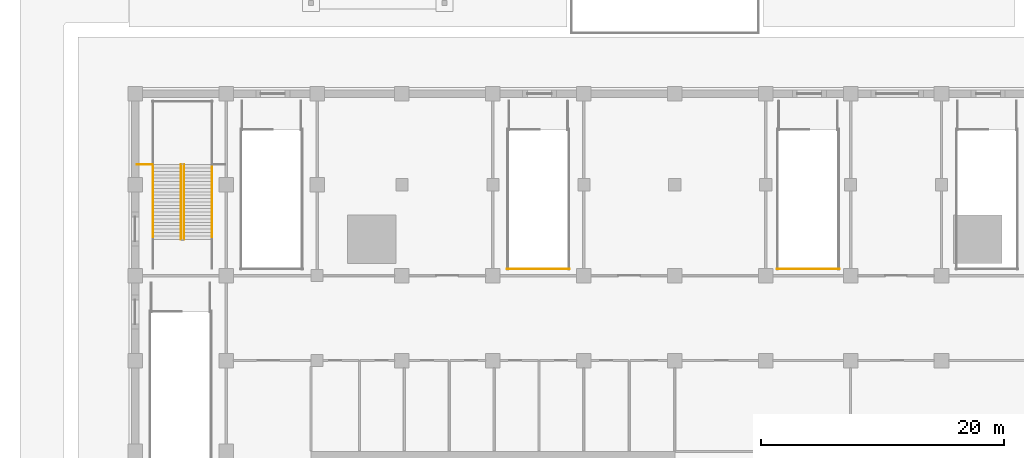
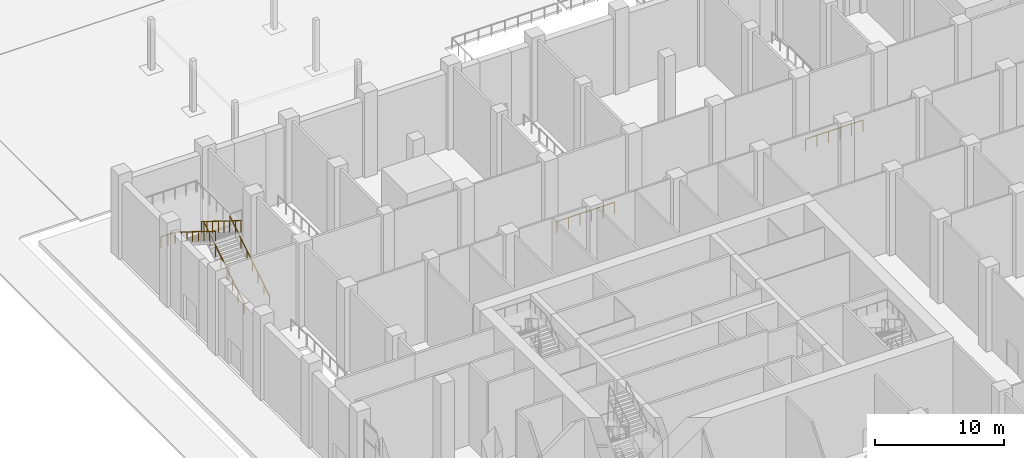
# One storey, part 46 of 57: 7 railings.
"""IFC4 building model written with IfcOpenShell, lengths in metres."""

from ifc_helpers import new_model, si_unit, direction, frame, origin, origin_2d, place, context, subcontext, project, spatial, circle, extrude, material, type_object, element, save


model = new_model("IFC4")

# Units and contexts
model_context = context("Model", 3, precision=1e-05, world=origin(), true_north=direction((0.0, 1.0)))
body_context = subcontext(model_context, "Body", "Model", "MODEL_VIEW")
ifc_project = project(units=[si_unit("LENGTHUNIT", "METRE"), si_unit("AREAUNIT", "SQUARE_METRE"), si_unit("VOLUMEUNIT", "CUBIC_METRE"), si_unit("PLANEANGLEUNIT", "RADIAN"), si_unit("MASSUNIT", "GRAM", prefix="KILO")], contexts=[model_context])

# Site, building, storey
site_placement = place(None, origin())
site = spatial("IfcSite", under=ifc_project, at=site_placement, CompositionType="ELEMENT")
building_placement = place(site_placement, origin())
building = spatial("IfcBuilding", under=site, at=building_placement, Name="Tamorin Gate", CompositionType="ELEMENT")
storey_placement = place(building_placement, origin())
storey = spatial("IfcBuildingStorey", under=building, at=storey_placement, Name="L00", CompositionType="ELEMENT", Elevation=0.0)

# Railings
ifc_material = material(Name="Steel", Category="steel")
railing_type_1 = type_object("IfcRailingType", Name="Podium guard 1100", PredefinedType="GUARDRAIL", material=ifc_material)
railing_1_placement = place(storey_placement, frame((19.52490234375, 100.0, 0.173828125)))
element("IfcRailing", 1, at=railing_1_placement, inside=storey, type_object=railing_type_1, Name="L00 PS2 stair guard 1", PredefinedType="GUARDRAIL", context=body_context, shape_type="SweptSolid", body=[
    extrude(circle(Radius=0.02392578125, at=origin_2d()), frame((0.0, 0.0, 1.076171875), z_axis=(0.0, 0.849468459523, 0.527639399851), x_axis=(-1.0, 0.0, 0.0)), (0.0, 0.0, 1.0), 7.25146484375),
    extrude(circle(Radius=0.02099609375, at=origin_2d()), origin(), (0.0, 0.0, 1.0), 1.052001953125),
    extrude(circle(Radius=0.02099609375, at=origin_2d()), frame((0.0, 0.8798828125, 0.546630859375)), (0.0, 0.0, 1.0), 1.052001953125),
    extrude(circle(Radius=0.02099609375, at=origin_2d()), frame((0.0, 1.760009765625, 1.09326171875)), (0.0, 0.0, 1.0), 1.052001953125),
    extrude(circle(Radius=0.02099609375, at=origin_2d()), frame((0.0, 2.639892578125, 1.639892578125)), (0.0, 0.0, 1.0), 1.052001953125),
    extrude(circle(Radius=0.02099609375, at=origin_2d()), frame((0.0, 3.52001953125, 2.186279296875)), (0.0, 0.0, 1.0), 1.052001953125),
    extrude(circle(Radius=0.02099609375, at=origin_2d()), frame((0.0, 4.39990234375, 2.73291015625)), (0.0, 0.0, 1.0), 1.052001953125),
    extrude(circle(Radius=0.02099609375, at=origin_2d()), frame((0.0, 5.280029296875, 3.279541015625)), (0.0, 0.0, 1.0), 1.052001953125),
    extrude(circle(Radius=0.02099609375, at=origin_2d()), frame((0.0, 6.159912109375, 3.826171875)), (0.0, 0.0, 1.0), 1.052001953125),
])
railing_2_placement = place(storey_placement, frame((19.27490234375, 106.159912109375, 4.173828125)))
element("IfcRailing", 2, at=railing_2_placement, inside=storey, type_object=railing_type_1, Name="L00 PS2 stair guard 6", PredefinedType="GUARDRAIL", context=body_context, shape_type="SweptSolid", body=[
    extrude(circle(Radius=0.02392578125, at=origin_2d()), frame((0.0, 0.0, 1.076171875), z_axis=(0.0, -0.849468459523, 0.527639399851), x_axis=(1.0, 0.0, 0.0)), (0.0, 0.0, 1.0), 7.25146484375),
    extrude(circle(Radius=0.02099609375, at=origin_2d()), origin(), (0.0, 0.0, 1.0), 1.052001953125),
    extrude(circle(Radius=0.02099609375, at=origin_2d()), frame((0.0, -0.8798828125, 0.546630859375)), (0.0, 0.0, 1.0), 1.052001953125),
    extrude(circle(Radius=0.02099609375, at=origin_2d()), frame((0.0, -1.760009765625, 1.09326171875)), (0.0, 0.0, 1.0), 1.052001953125),
    extrude(circle(Radius=0.02099609375, at=origin_2d()), frame((0.0, -2.639892578125, 1.639892578125)), (0.0, 0.0, 1.0), 1.052001953125),
    extrude(circle(Radius=0.02099609375, at=origin_2d()), frame((0.0, -3.52001953125, 2.186279296875)), (0.0, 0.0, 1.0), 1.052001953125),
    extrude(circle(Radius=0.02099609375, at=origin_2d()), frame((0.0, -4.39990234375, 2.73291015625)), (0.0, 0.0, 1.0), 1.052001953125),
    extrude(circle(Radius=0.02099609375, at=origin_2d()), frame((0.0, -5.280029296875, 3.279541015625)), (0.0, 0.0, 1.0), 1.052001953125),
    extrude(circle(Radius=0.02099609375, at=origin_2d()), frame((0.0, -6.159912109375, 3.826171875)), (0.0, 0.0, 1.0), 1.052001953125),
])
railing_3_placement = place(storey_placement, frame((15.64990234375, 106.159912109375, 4.0)))
element("IfcRailing", 3, at=railing_3_placement, inside=storey, type_object=railing_type_1, Name="Landing edge guard", PredefinedType="GUARDRAIL", context=body_context, shape_type="SweptSolid", body=[
    extrude(circle(Radius=0.02392578125, at=origin_2d()), frame((0.0, 0.0, 1.076171875), z_axis=(1.0, 0.0, 0.0), x_axis=(0.0, 1.0, 0.0)), (0.0, 0.0, 1.0), 1.275146484375),
    extrude(circle(Radius=0.02099609375, at=origin_2d()), origin(), (0.0, 0.0, 1.0), 1.052001953125),
    extrude(circle(Radius=0.02099609375, at=origin_2d()), frame((0.6376953125, 0.0, 0.0)), (0.0, 0.0, 1.0), 1.052001953125),
    extrude(circle(Radius=0.02099609375, at=origin_2d()), frame((1.275146484375, 0.0, 0.0)), (0.0, 0.0, 1.0), 1.052001953125),
])
for number, where, name in (
    (4, (46.175048828125, 97.550048828125, 0.0), "L00 SB3 top well guard 4"),
    (5, (68.425048828125, 97.550048828125, 0.0), "L00 SB4 top well guard 4"),
):
    element("IfcRailing", number, at=place(storey_placement, frame(where)), inside=storey, type_object=railing_type_1, Name=name, PredefinedType="GUARDRAIL", context=body_context, shape_type="SweptSolid", body=[
        extrude(circle(Radius=0.02392578125, at=origin_2d()), frame((0.0, 0.0, 1.076171875), z_axis=(1.0, 0.0, 0.0), x_axis=(0.0, 1.0, 0.0)), (0.0, 0.0, 1.0), 5.14990234375),
        extrude(circle(Radius=0.02099609375, at=origin_2d()), origin(), (0.0, 0.0, 1.0), 1.052001953125),
        extrude(circle(Radius=0.02099609375, at=origin_2d()), frame((1.030029296875, 0.0, 0.0)), (0.0, 0.0, 1.0), 1.052001953125),
        extrude(circle(Radius=0.02099609375, at=origin_2d()), frame((2.06005859375, 0.0, 0.0)), (0.0, 0.0, 1.0), 1.052001953125),
        extrude(circle(Radius=0.02099609375, at=origin_2d()), frame((3.08984375, 0.0, 0.0)), (0.0, 0.0, 1.0), 1.052001953125),
        extrude(circle(Radius=0.02099609375, at=origin_2d()), frame((4.119873046875, 0.0, 0.0)), (0.0, 0.0, 1.0), 1.052001953125),
        extrude(circle(Radius=0.02099609375, at=origin_2d()), frame((5.14990234375, 0.0, 0.0)), (0.0, 0.0, 1.0), 1.052001953125),
    ])
railing_type_2 = type_object("IfcRailingType", Name="Podium stair handrail 900", PredefinedType="HANDRAIL", material=ifc_material)
railing_4_placement = place(storey_placement, frame((21.824951171875, 100.0, 0.173828125)))
element("IfcRailing", 6, at=railing_4_placement, inside=storey, type_object=railing_type_2, Name="L00 PS2 stair handrail 1", PredefinedType="HANDRAIL", context=body_context, shape_type="SweptSolid", body=[
    extrude(circle(Radius=0.02392578125, at=origin_2d()), frame((0.0, 0.0, 0.8759765625), z_axis=(0.0, 0.849468459523, 0.527639399851), x_axis=(-1.0, 0.0, 0.0)), (0.0, 0.0, 1.0), 7.25146484375),
    extrude(circle(Radius=0.02099609375, at=origin_2d()), origin(), (0.0, 0.0, 1.0), 0.851806640625),
    extrude(circle(Radius=0.02099609375, at=origin_2d()), frame((0.0, 0.8798828125, 0.546630859375)), (0.0, 0.0, 1.0), 0.851806640625),
    extrude(circle(Radius=0.02099609375, at=origin_2d()), frame((0.0, 1.760009765625, 1.09326171875)), (0.0, 0.0, 1.0), 0.851806640625),
    extrude(circle(Radius=0.02099609375, at=origin_2d()), frame((0.0, 2.639892578125, 1.639892578125)), (0.0, 0.0, 1.0), 0.851806640625),
    extrude(circle(Radius=0.02099609375, at=origin_2d()), frame((0.0, 3.52001953125, 2.186279296875)), (0.0, 0.0, 1.0), 0.851806640625),
    extrude(circle(Radius=0.02099609375, at=origin_2d()), frame((0.0, 4.39990234375, 2.73291015625)), (0.0, 0.0, 1.0), 0.851806640625),
    extrude(circle(Radius=0.02099609375, at=origin_2d()), frame((0.0, 5.280029296875, 3.279541015625)), (0.0, 0.0, 1.0), 0.851806640625),
    extrude(circle(Radius=0.02099609375, at=origin_2d()), frame((0.0, 6.159912109375, 3.826171875)), (0.0, 0.0, 1.0), 0.851806640625),
])
railing_5_placement = place(storey_placement, frame((16.97509765625, 106.159912109375, 4.173828125)))
element("IfcRailing", 7, at=railing_5_placement, inside=storey, type_object=railing_type_2, Name="L00 PS2 stair handrail 2", PredefinedType="HANDRAIL", context=body_context, shape_type="SweptSolid", body=[
    extrude(circle(Radius=0.02392578125, at=origin_2d()), frame((0.0, 0.0, 0.8759765625), z_axis=(0.0, -0.849468459523, 0.527639399851), x_axis=(1.0, 0.0, 0.0)), (0.0, 0.0, 1.0), 7.25146484375),
    extrude(circle(Radius=0.02099609375, at=origin_2d()), origin(), (0.0, 0.0, 1.0), 0.851806640625),
    extrude(circle(Radius=0.02099609375, at=origin_2d()), frame((0.0, -0.8798828125, 0.546630859375)), (0.0, 0.0, 1.0), 0.851806640625),
    extrude(circle(Radius=0.02099609375, at=origin_2d()), frame((0.0, -1.760009765625, 1.09326171875)), (0.0, 0.0, 1.0), 0.851806640625),
    extrude(circle(Radius=0.02099609375, at=origin_2d()), frame((0.0, -2.639892578125, 1.639892578125)), (0.0, 0.0, 1.0), 0.851806640625),
    extrude(circle(Radius=0.02099609375, at=origin_2d()), frame((0.0, -3.52001953125, 2.186279296875)), (0.0, 0.0, 1.0), 0.851806640625),
    extrude(circle(Radius=0.02099609375, at=origin_2d()), frame((0.0, -4.39990234375, 2.73291015625)), (0.0, 0.0, 1.0), 0.851806640625),
    extrude(circle(Radius=0.02099609375, at=origin_2d()), frame((0.0, -5.280029296875, 3.279541015625)), (0.0, 0.0, 1.0), 0.851806640625),
    extrude(circle(Radius=0.02099609375, at=origin_2d()), frame((0.0, -6.159912109375, 3.826171875)), (0.0, 0.0, 1.0), 0.851806640625),
])

save(model, "model.ifc")
